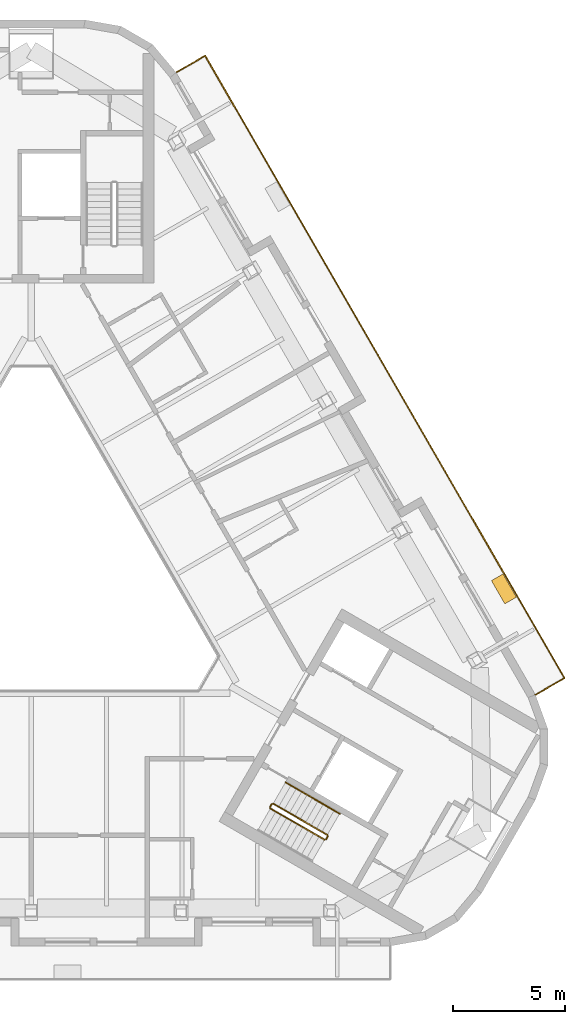
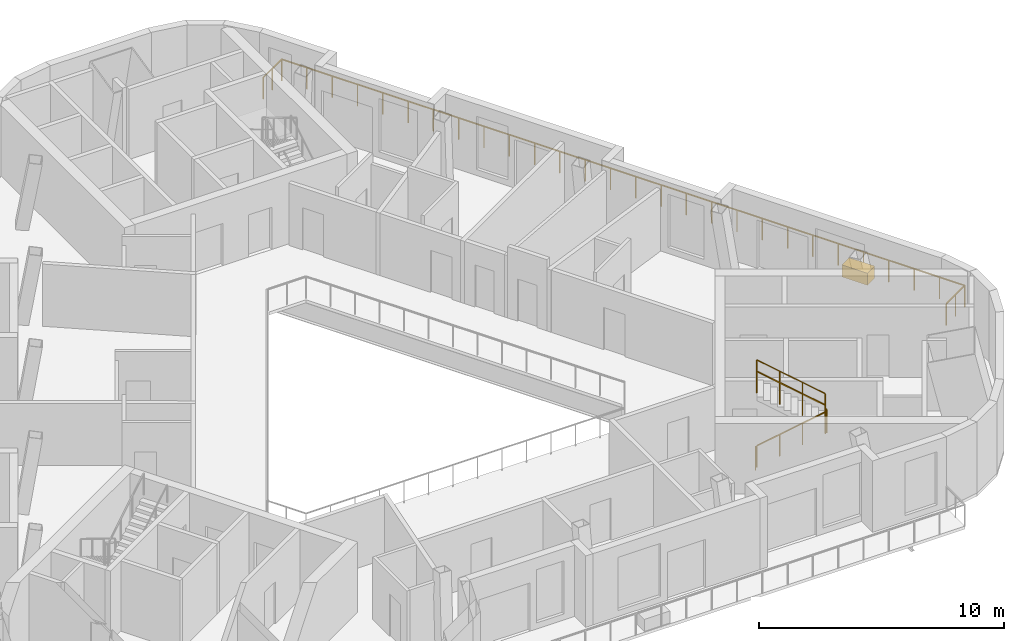
# One storey, part 10 of 11: 6 railings, 1 covering.
"""IFC4 building model written with IfcOpenShell, lengths in metres."""

from ifc_helpers import new_model, si_unit, direction, frame, origin, origin_2d, place, context, subcontext, project, spatial, rectangle, circle, extrude, material, type_object, element, save


model = new_model("IFC4")

# Units and contexts
model_context = context("Model", 3, precision=1e-05, world=origin(), true_north=direction((0.0, 1.0)))
body_context = subcontext(model_context, "Body", "Model", "MODEL_VIEW")
ifc_project = project(units=[si_unit("LENGTHUNIT", "METRE"), si_unit("AREAUNIT", "SQUARE_METRE"), si_unit("VOLUMEUNIT", "CUBIC_METRE"), si_unit("PLANEANGLEUNIT", "RADIAN"), si_unit("MASSUNIT", "GRAM", prefix="KILO")], contexts=[model_context])

# Site, building, storey
site_placement = place(None, origin())
site = spatial("IfcSite", under=ifc_project, at=site_placement, CompositionType="ELEMENT")
building_placement = place(site_placement, origin())
building = spatial("IfcBuilding", under=site, at=building_placement, Name="Apuvela Tower Hotel", CompositionType="ELEMENT")
storey_placement = place(building_placement, frame((0.0, 0.0, 309.60009765625)))
storey = spatial("IfcBuildingStorey", under=building, at=storey_placement, Name="L77", CompositionType="ELEMENT", Elevation=309.60009765625)

# Railings
ifc_material_1 = material(Name="Steel S275 balustrade", Category="steel")
railing_type_1 = type_object("IfcRailingType", Name="COR-GUARD-1100", PredefinedType="GUARDRAIL", material=ifc_material_1)
railing_1_placement = place(storey_placement, frame((10.718994140625, -10.63427734375, 0.16796875)))
element("IfcRailing", 1, at=railing_1_placement, inside=storey, type_object=railing_type_1, Name="L77 ST3 stair guard 1", PredefinedType="GUARDRAIL", context=body_context, shape_type="SweptSolid", body=[
    extrude(rectangle(XDim=0.048095703125, YDim=0.048095703125, at=origin_2d()), frame((0.0, 0.0, 1.076171875), z_axis=(0.742390482028, -0.42860119049, 0.514934356695), x_axis=(0.49998411664, 0.866034573852, 0.0)), (0.0, 0.0, 1.0), 3.26611328125),
    extrude(rectangle(XDim=0.0419921875, YDim=0.0419921875, at=origin_2d()), origin(), (0.0, 0.0, 1.0), 1.052001953125),
    extrude(rectangle(XDim=0.0419921875, YDim=0.0419921875, at=origin_2d()), frame((0.808349609375, -0.466552734375, 0.560546875)), (0.0, 0.0, 1.0), 1.052001953125),
    extrude(rectangle(XDim=0.0419921875, YDim=0.0419921875, at=origin_2d()), frame((1.616455078125, -0.933349609375, 1.121337890625)), (0.0, 0.0, 1.0), 1.052001953125),
    extrude(rectangle(XDim=0.0419921875, YDim=0.0419921875, at=origin_2d()), frame((2.4248046875, -1.39990234375, 1.681884765625)), (0.0, 0.0, 1.0), 1.052001953125),
])
railing_2_placement = place(storey_placement, frame((13.212158203125, -12.015869140625, 1.849853515625)))
element("IfcRailing", 2, at=railing_2_placement, inside=storey, type_object=railing_type_1, Name="L77 ST3 stair guard 2", PredefinedType="GUARDRAIL", context=body_context, shape_type="SweptSolid", body=[
    extrude(rectangle(XDim=0.048095703125, YDim=0.048095703125, at=origin_2d()), frame((0.0, 0.0, 1.076171875), z_axis=(0.499816412211, 0.866131372301, 0.0), x_axis=(-0.866131372301, 0.499816412211, 0.0)), (0.0, 0.0, 1.0), 0.14990234375),
    extrude(rectangle(XDim=0.0419921875, YDim=0.0419921875, at=origin_2d()), origin(), (0.0, 0.0, 1.0), 1.052001953125),
    extrude(rectangle(XDim=0.0419921875, YDim=0.0419921875, at=origin_2d()), frame((0.074951171875, 0.1298828125, 0.0)), (0.0, 0.0, 1.0), 1.052001953125),
])
railing_3_placement = place(storey_placement, frame((13.268798828125, -11.817626953125, 2.01806640625)))
element("IfcRailing", 3, at=railing_3_placement, inside=storey, type_object=railing_type_1, Name="L77 ST3 stair guard 3", PredefinedType="GUARDRAIL", context=body_context, shape_type="SweptSolid", body=[
    extrude(rectangle(XDim=0.048095703125, YDim=0.048095703125, at=origin_2d()), frame((0.0, 0.0, 1.076171875), z_axis=(-0.742390482028, 0.42860119049, 0.514934356695), x_axis=(-0.49998411664, -0.866034573852, 0.0)), (0.0, 0.0, 1.0), 3.26611328125),
    extrude(rectangle(XDim=0.0419921875, YDim=0.0419921875, at=origin_2d()), origin(), (0.0, 0.0, 1.0), 1.052001953125),
    extrude(rectangle(XDim=0.0419921875, YDim=0.0419921875, at=origin_2d()), frame((-0.808349609375, 0.466552734375, 0.560546875)), (0.0, 0.0, 1.0), 1.052001953125),
    extrude(rectangle(XDim=0.0419921875, YDim=0.0419921875, at=origin_2d()), frame((-1.616455078125, 0.933349609375, 1.121337890625)), (0.0, 0.0, 1.0), 1.052001953125),
    extrude(rectangle(XDim=0.0419921875, YDim=0.0419921875, at=origin_2d()), frame((-2.4248046875, 1.39990234375, 1.681884765625)), (0.0, 0.0, 1.0), 1.052001953125),
])
railing_4_placement = place(storey_placement, frame((10.70068359375, -10.56591796875, 0.0)))
element("IfcRailing", 4, at=railing_4_placement, inside=storey, type_object=railing_type_1, Name="L77 ST3 stair guard 4", PredefinedType="GUARDRAIL", context=body_context, shape_type="SweptSolid", body=[
    extrude(rectangle(XDim=0.048095703125, YDim=0.048095703125, at=origin_2d()), frame((0.0, 0.0, 1.076171875), z_axis=(0.499816412211, 0.866131372301, 0.0), x_axis=(-0.866131372301, 0.499816412211, 0.0)), (0.0, 0.0, 1.0), 0.14990234375),
    extrude(rectangle(XDim=0.0419921875, YDim=0.0419921875, at=origin_2d()), origin(), (0.0, 0.0, 1.0), 1.052001953125),
    extrude(rectangle(XDim=0.0419921875, YDim=0.0419921875, at=origin_2d()), frame((0.074951171875, 0.1298828125, 0.0)), (0.0, 0.0, 1.0), 1.052001953125),
])
ifc_material_2 = material(Name="Stainless steel 316 handrail", Category="steel")
railing_type_2 = type_object("IfcRailingType", Name="COR-HANDRAIL-900", PredefinedType="HANDRAIL", material=ifc_material_2)
railing_5_placement = place(storey_placement, frame((13.81884765625, -10.864990234375, 2.01806640625)))
element("IfcRailing", 5, at=railing_5_placement, inside=storey, type_object=railing_type_2, Name="L77 ST3 stair handrail 2", PredefinedType="HANDRAIL", context=body_context, shape_type="SweptSolid", body=[
    extrude(circle(Radius=0.02392578125, at=origin_2d()), frame((0.0, 0.0, 0.8759765625), z_axis=(-0.742390482028, 0.42860119049, 0.514934356695), x_axis=(-0.49998411664, -0.866034573852, 0.0)), (0.0, 0.0, 1.0), 3.26611328125),
    extrude(rectangle(XDim=0.0419921875, YDim=0.0419921875, at=origin_2d()), origin(), (0.0, 0.0, 1.0), 0.851806640625),
    extrude(rectangle(XDim=0.0419921875, YDim=0.0419921875, at=origin_2d()), frame((-0.808349609375, 0.466552734375, 0.560546875)), (0.0, 0.0, 1.0), 0.851806640625),
    extrude(rectangle(XDim=0.0419921875, YDim=0.0419921875, at=origin_2d()), frame((-1.616455078125, 0.933349609375, 1.121337890625)), (0.0, 0.0, 1.0), 0.851806640625),
    extrude(rectangle(XDim=0.0419921875, YDim=0.0419921875, at=origin_2d()), frame((-2.4248046875, 1.39990234375, 1.681884765625)), (0.0, 0.0, 1.0), 0.851806640625),
])
ifc_material_3 = material(Name="Stainless steel 316 rail with laminated glass infill", Category="steel")
railing_type_3 = type_object("IfcRailingType", Name="ENV-GUARD-1100", PredefinedType="GUARDRAIL", material=ifc_material_3)
railing_6_placement = place(storey_placement, frame((22.593505859375, -5.5439453125, 0.0)))
element("IfcRailing", 6, at=railing_6_placement, inside=storey, type_object=railing_type_3, Name="Balcony guard NE L77", PredefinedType="GUARDRAIL", context=body_context, shape_type="SweptSolid", body=[
    extrude(rectangle(XDim=0.050048828125, YDim=0.050048828125, at=origin_2d()), frame((0.0, 0.0, 1.0751953125), z_axis=(0.866031096941, 0.499990139034, 0.0), x_axis=(-0.499990139034, 0.866031096941, 0.0)), (0.0, 0.0, 1.0), 1.5),
    extrude(rectangle(XDim=0.050048828125, YDim=0.050048828125, at=origin_2d()), frame((1.299072265625, 0.75, 1.0751953125), z_axis=(-0.500003172353, 0.866023572218, 0.0), x_axis=(-0.866023572218, -0.500003172353, 0.0)), (0.0, 0.0, 1.0), 32.196044921875),
    extrude(rectangle(XDim=0.050048828125, YDim=0.050048828125, at=origin_2d()), frame((-14.799072265625, 28.632568359375, 1.0751953125), z_axis=(-0.86599040064, -0.500060622324, 0.0), x_axis=(0.500060622324, -0.86599040064, 0.0)), (0.0, 0.0, 1.0), 1.499755859375),
    extrude(rectangle(XDim=0.0400390625, YDim=0.0400390625, at=origin_2d()), origin(), (0.0, 0.0, 1.0), 1.050048828125),
    extrude(rectangle(XDim=0.0400390625, YDim=0.0400390625, at=origin_2d()), frame((0.6494140625, 0.375, 0.0)), (0.0, 0.0, 1.0), 1.050048828125),
    extrude(rectangle(XDim=0.0400390625, YDim=0.0400390625, at=origin_2d()), frame((1.299072265625, 0.75, 0.0)), (0.0, 0.0, 1.0), 1.050048828125),
    extrude(rectangle(XDim=0.0400390625, YDim=0.0400390625, at=origin_2d()), frame((0.702880859375, 1.78271484375, 0.0)), (0.0, 0.0, 1.0), 1.050048828125),
    extrude(rectangle(XDim=0.0400390625, YDim=0.0400390625, at=origin_2d()), frame((0.106689453125, 2.8154296875, 0.0)), (0.0, 0.0, 1.0), 1.050048828125),
    extrude(rectangle(XDim=0.0400390625, YDim=0.0400390625, at=origin_2d()), frame((-0.489501953125, 3.84814453125, 0.0)), (0.0, 0.0, 1.0), 1.050048828125),
    extrude(rectangle(XDim=0.0400390625, YDim=0.0400390625, at=origin_2d()), frame((-1.0859375, 4.880859375, 0.0)), (0.0, 0.0, 1.0), 1.050048828125),
    extrude(rectangle(XDim=0.0400390625, YDim=0.0400390625, at=origin_2d()), frame((-1.68212890625, 5.913330078125, 0.0)), (0.0, 0.0, 1.0), 1.050048828125),
    extrude(rectangle(XDim=0.0400390625, YDim=0.0400390625, at=origin_2d()), frame((-2.2783203125, 6.946044921875, 0.0)), (0.0, 0.0, 1.0), 1.050048828125),
    extrude(rectangle(XDim=0.0400390625, YDim=0.0400390625, at=origin_2d()), frame((-2.87451171875, 7.978759765625, 0.0)), (0.0, 0.0, 1.0), 1.050048828125),
    extrude(rectangle(XDim=0.0400390625, YDim=0.0400390625, at=origin_2d()), frame((-3.470703125, 9.011474609375, 0.0)), (0.0, 0.0, 1.0), 1.050048828125),
    extrude(rectangle(XDim=0.0400390625, YDim=0.0400390625, at=origin_2d()), frame((-4.06689453125, 10.044189453125, 0.0)), (0.0, 0.0, 1.0), 1.050048828125),
    extrude(rectangle(XDim=0.0400390625, YDim=0.0400390625, at=origin_2d()), frame((-4.6630859375, 11.076904296875, 0.0)), (0.0, 0.0, 1.0), 1.050048828125),
    extrude(rectangle(XDim=0.0400390625, YDim=0.0400390625, at=origin_2d()), frame((-5.259521484375, 12.109619140625, 0.0)), (0.0, 0.0, 1.0), 1.050048828125),
    extrude(rectangle(XDim=0.0400390625, YDim=0.0400390625, at=origin_2d()), frame((-5.855712890625, 13.142333984375, 0.0)), (0.0, 0.0, 1.0), 1.050048828125),
    extrude(rectangle(XDim=0.0400390625, YDim=0.0400390625, at=origin_2d()), frame((-6.451904296875, 14.175048828125, 0.0)), (0.0, 0.0, 1.0), 1.050048828125),
    extrude(rectangle(XDim=0.0400390625, YDim=0.0400390625, at=origin_2d()), frame((-7.048095703125, 15.20751953125, 0.0)), (0.0, 0.0, 1.0), 1.050048828125),
    extrude(rectangle(XDim=0.0400390625, YDim=0.0400390625, at=origin_2d()), frame((-7.644287109375, 16.240234375, 0.0)), (0.0, 0.0, 1.0), 1.050048828125),
    extrude(rectangle(XDim=0.0400390625, YDim=0.0400390625, at=origin_2d()), frame((-8.240478515625, 17.27294921875, 0.0)), (0.0, 0.0, 1.0), 1.050048828125),
    extrude(rectangle(XDim=0.0400390625, YDim=0.0400390625, at=origin_2d()), frame((-8.8369140625, 18.3056640625, 0.0)), (0.0, 0.0, 1.0), 1.050048828125),
    extrude(rectangle(XDim=0.0400390625, YDim=0.0400390625, at=origin_2d()), frame((-9.43310546875, 19.33837890625, 0.0)), (0.0, 0.0, 1.0), 1.050048828125),
    extrude(rectangle(XDim=0.0400390625, YDim=0.0400390625, at=origin_2d()), frame((-10.029296875, 20.37109375, 0.0)), (0.0, 0.0, 1.0), 1.050048828125),
    extrude(rectangle(XDim=0.0400390625, YDim=0.0400390625, at=origin_2d()), frame((-10.62548828125, 21.40380859375, 0.0)), (0.0, 0.0, 1.0), 1.050048828125),
    extrude(rectangle(XDim=0.0400390625, YDim=0.0400390625, at=origin_2d()), frame((-11.2216796875, 22.4365234375, 0.0)), (0.0, 0.0, 1.0), 1.050048828125),
    extrude(rectangle(XDim=0.0400390625, YDim=0.0400390625, at=origin_2d()), frame((-11.81787109375, 23.46923828125, 0.0)), (0.0, 0.0, 1.0), 1.050048828125),
    extrude(rectangle(XDim=0.0400390625, YDim=0.0400390625, at=origin_2d()), frame((-12.4140625, 24.501708984375, 0.0)), (0.0, 0.0, 1.0), 1.050048828125),
    extrude(rectangle(XDim=0.0400390625, YDim=0.0400390625, at=origin_2d()), frame((-13.010498046875, 25.534423828125, 0.0)), (0.0, 0.0, 1.0), 1.050048828125),
    extrude(rectangle(XDim=0.0400390625, YDim=0.0400390625, at=origin_2d()), frame((-13.606689453125, 26.567138671875, 0.0)), (0.0, 0.0, 1.0), 1.050048828125),
    extrude(rectangle(XDim=0.0400390625, YDim=0.0400390625, at=origin_2d()), frame((-14.202880859375, 27.599853515625, 0.0)), (0.0, 0.0, 1.0), 1.050048828125),
    extrude(rectangle(XDim=0.0400390625, YDim=0.0400390625, at=origin_2d()), frame((-14.799072265625, 28.632568359375, 0.0)), (0.0, 0.0, 1.0), 1.050048828125),
    extrude(rectangle(XDim=0.0400390625, YDim=0.0400390625, at=origin_2d()), frame((-15.448486328125, 28.257568359375, 0.0)), (0.0, 0.0, 1.0), 1.050048828125),
    extrude(rectangle(XDim=0.0400390625, YDim=0.0400390625, at=origin_2d()), frame((-16.097900390625, 27.882568359375, 0.0)), (0.0, 0.0, 1.0), 1.050048828125),
])

# Covering
ifc_material_4 = material(Name="Planting substrate and soil, planted")
covering_type = type_object("IfcCoveringType", Name="ENV-PLANTER-1200x600", PredefinedType="USERDEFINED", material=ifc_material_4)
covering_placement = place(storey_placement, frame((21.18115234375, -0.797607421875, -0.000244140625), z_axis=(0.0, 0.0, 1.0), x_axis=(-0.5, 0.866025403784, 0.0)))
element("IfcCovering", 7, at=covering_placement, inside=storey, type_object=covering_type, Name="Planter NE3", ObjectType="PLANTER", PredefinedType="USERDEFINED", context=body_context, shape_type="SweptSolid", body=[
    extrude(rectangle(XDim=1.199951171875, YDim=0.60009765625, at=origin_2d()), origin(), (0.0, 0.0, 1.0), 0.60009765625),
])

save(model, "model.ifc")
